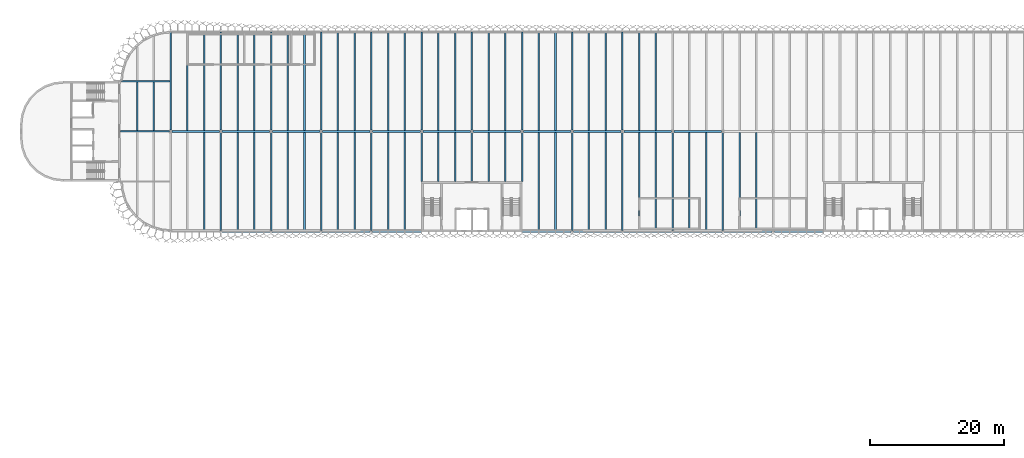
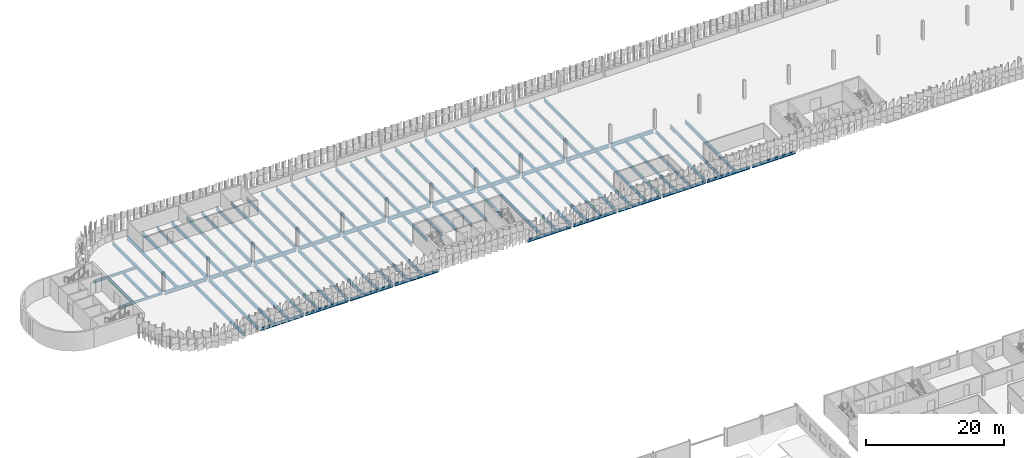
# One storey, part 31 of 198: 89 beams.
"""IFC4 building model written with IfcOpenShell, lengths in metres."""

import ifcopenshell
import ifcopenshell.guid

model = None  # the IFC model being written
_history = None  # IfcOwnerHistory: only IFC2X3 demands one
_inside = {}  # id of a spatial element -> (the spatial element, [elements in it])
_under = {}  # id of a project, library or spatial element -> (it, [spatial elements below it])
_declared = {}  # id of a project -> (the project, [libraries it declares])
_typed = {}  # id of a type object -> (the type object, [elements of that type])
_made_of = {}  # id of a material, layer set ... -> (it, [elements and type objects made of it])


def new_model(schema):
    """Start an empty IFC model of exactly this schema.

    Asked for "IFC4X3", IfcOpenShell would pick the latest addendum, in which some entities
    have other attributes; the version numbers below select the first issue.
    IFC2X3 requires an IfcOwnerHistory on every rooted entity: one is made here for all.
    """
    global model, _history
    if schema == "IFC4X3":
        model = ifcopenshell.file(schema_version=(4, 3, 0, 0))
    else:
        model = ifcopenshell.file(schema=schema)
    _inside.clear()
    _under.clear()
    _declared.clear()
    _typed.clear()
    _made_of.clear()
    _history = None
    if model.schema == "IFC2X3":
        org = make("IfcOrganization", Name="unknown")
        user = make(
            "IfcPersonAndOrganization",
            ThePerson=make("IfcPerson", FamilyName="unknown"),
            TheOrganization=org,
        )
        app = make(
            "IfcApplication",
            ApplicationDeveloper=org,
            Version="unknown",
            ApplicationFullName="unknown",
            ApplicationIdentifier="unknown",
        )
        _history = make(
            "IfcOwnerHistory",
            OwningUser=user,
            OwningApplication=app,
            ChangeAction="ADDED",
            CreationDate=0,
        )
    return model


def make(cls, **values):
    """One entity of the class cls with the attributes given. An attribute that is None is left unset."""
    return model.create_entity(
        cls, **{name: value for name, value in values.items() if value is not None}
    )


def rooted(cls, **values):
    """An entity with a GlobalId (a new one), such as an element, a storey or a relation."""
    return make(cls, GlobalId=ifcopenshell.guid.new(), OwnerHistory=_history, **values)


def si_unit(unit_type, name, prefix=None):
    """IfcSIUnit, for example si_unit("LENGTHUNIT", "METRE", prefix="MILLI")."""
    return make("IfcSIUnit", UnitType=unit_type, Prefix=prefix, Name=name)


def assignment(units):
    """IfcUnitAssignment: the units of a project."""
    return None if units is None else make("IfcUnitAssignment", Units=units)


def point(xyz):
    """IfcCartesianPoint."""
    return None if xyz is None else make("IfcCartesianPoint", Coordinates=xyz)


def direction(xyz):
    """IfcDirection."""
    return None if xyz is None else make("IfcDirection", DirectionRatios=xyz)


def frame(location, z_axis=None, x_axis=None):
    """IfcAxis2Placement3D, a coordinate frame: its origin and axes. An axis left out is left unset."""
    return make(
        "IfcAxis2Placement3D",
        Location=point(location),
        Axis=direction(z_axis),
        RefDirection=direction(x_axis),
    )


def frame_2d(location, x_axis=None):
    """IfcAxis2Placement2D, a coordinate frame in the plane: its origin and x axis."""
    return make(
        "IfcAxis2Placement2D", Location=point(location), RefDirection=direction(x_axis)
    )


def origin():
    """The frame at (0, 0, 0) with its axes left unset."""
    return frame((0.0, 0.0, 0.0))


def origin_2d():
    """The frame at (0, 0) in the plane with its x axis left unset."""
    return frame_2d((0.0, 0.0))


def place(relative_to, where):
    """IfcLocalPlacement: puts the frame where relative to a parent placement (None: the world)."""
    return make(
        "IfcLocalPlacement", PlacementRelTo=relative_to, RelativePlacement=where
    )


def context(
    kind, dimensions, precision=None, world=None, true_north=None, identifier=None
):
    """IfcGeometricRepresentationContext, for example the 3D "Model" context."""
    return make(
        "IfcGeometricRepresentationContext",
        ContextIdentifier=identifier,
        ContextType=kind,
        CoordinateSpaceDimension=dimensions,
        Precision=precision,
        WorldCoordinateSystem=world,
        TrueNorth=true_north,
    )


def subcontext(parent, identifier, kind, view, scale=None):
    """IfcGeometricRepresentationSubContext, for example "Body" below "Model"."""
    return make(
        "IfcGeometricRepresentationSubContext",
        ContextIdentifier=identifier,
        ContextType=kind,
        ParentContext=parent,
        TargetScale=scale,
        TargetView=view,
    )


def project(units=None, contexts=None):
    """IfcProject with its units and contexts."""
    return rooted(
        "IfcProject",
        Name="project",
        RepresentationContexts=contexts,
        UnitsInContext=assignment(units),
    )


def spatial(cls, under=None, at=None, **own):
    """A site, building, storey or space (cls), placed at a placement, below another one or the project."""
    s = rooted(cls, ObjectPlacement=at, **own)
    if under is not None:
        _under.setdefault(under.id(), (under, []))[1].append(s)
    return s


def profile(cls, at=None, kind="AREA", **sizes):
    """A parametric profile (cls). Its sizes go by their IFC names, for example OverallWidth=200.0."""
    return make(cls, ProfileType=kind, Position=at, **sizes)


def i_section(**sizes):
    """IfcIShapeProfileDef."""
    return profile("IfcIShapeProfileDef", **sizes)


def extrude(swept, where, along, depth):
    """IfcExtrudedAreaSolid: the profile swept, set in the frame where, extruded along a direction by depth."""
    return make(
        "IfcExtrudedAreaSolid",
        SweptArea=swept,
        Position=where,
        ExtrudedDirection=direction(along),
        Depth=depth,
    )


def shape(context_of_items, identifier, shape_type, items):
    """IfcShapeRepresentation: the items that make up one representation, for example the "Body"."""
    return make(
        "IfcShapeRepresentation",
        ContextOfItems=context_of_items,
        RepresentationIdentifier=identifier,
        RepresentationType=shape_type,
        Items=items,
    )


def material(Name=None, Category=None):
    """IfcMaterial."""
    return make("IfcMaterial", Name=Name, Category=Category)


def material_profile(
    of_material, cross_section, Name=None, Category=None, Priority=None
):
    """IfcMaterialProfile: a cross section and its material."""
    return make(
        "IfcMaterialProfile",
        Name=Name,
        Material=of_material,
        Profile=cross_section,
        Priority=Priority,
        Category=Category,
    )


def profile_set(profiles, Name=None, composite=None):
    """IfcMaterialProfileSet."""
    return make(
        "IfcMaterialProfileSet",
        Name=Name,
        MaterialProfiles=profiles,
        CompositeProfile=composite,
    )


def made_of(thing, what):
    """Note that an element or type object is made of a material, layer set ...; save() writes the relation."""
    if what is not None:
        _made_of.setdefault(what.id(), (what, []))[1].append(thing)
    return thing


def type_object(cls, material=None, **own):
    """A type object (cls), such as IfcWallType, which elements share."""
    return made_of(rooted(cls, **own), material)


def element(
    cls,
    number,
    at=None,
    inside=None,
    cuts=None,
    type_object=None,
    material=None,
    context=None,
    identifier="Body",
    shape_type=None,
    held_by="IfcProductDefinitionShape",
    body=None,
    shapes=None,
    **own,
):
    """One element of the class cls, such as IfcWall. Its Tag is "e" and its number.

    at: its placement. inside: the storey or other place that contains it. cuts: it is an
    opening in that element (IfcRelVoidsElement). A single representation is given by context,
    identifier, shape_type and body (its items); several are given by shapes. held_by: the class
    of the entity that holds the representations. save() writes the other relations.
    """
    e = rooted(cls, Tag="e%d" % number, ObjectPlacement=at, **own)
    if body is not None:
        shapes = [shape(context, identifier, shape_type, body)]
    if shapes is not None:
        e.Representation = make(held_by, Representations=shapes)
    if inside is not None:
        _inside.setdefault(inside.id(), (inside, []))[1].append(e)
    if cuts is not None:
        rooted(
            "IfcRelVoidsElement", RelatingBuildingElement=cuts, RelatedOpeningElement=e
        )
    if type_object is not None:
        _typed.setdefault(type_object.id(), (type_object, []))[1].append(e)
    return made_of(e, material)


def aggregate(whole, parts):
    """IfcRelAggregates: a whole, such as a stair, and the parts it consists of."""
    return rooted("IfcRelAggregates", RelatingObject=whole, RelatedObjects=parts)


def save(model, path):
    """Write the relations noted so far, then the file.

    IfcRelAggregates (storeys below a building ...), IfcRelContainedInSpatialStructure (elements
    in a storey), IfcRelDefinesByType, IfcRelAssociatesMaterial and IfcRelDeclares: one each for
    every whole, place, type object, material and project.
    """
    for whole, parts in _under.values():
        aggregate(whole, parts)
    for where, things in _inside.values():
        rooted(
            "IfcRelContainedInSpatialStructure",
            RelatedElements=things,
            RelatingStructure=where,
        )
    for kind, things in _typed.values():
        rooted("IfcRelDefinesByType", RelatedObjects=things, RelatingType=kind)
    for what, things in _made_of.values():
        rooted("IfcRelAssociatesMaterial", RelatedObjects=things, RelatingMaterial=what)
    for by, libraries in _declared.values():
        rooted("IfcRelDeclares", RelatingContext=by, RelatedDefinitions=libraries)
    model.write(path)


model = new_model("IFC4")

# Units and contexts
model_context = context("Model", 3, precision=1e-05, world=origin(), true_north=direction((0.0, 1.0)))
body_context = subcontext(model_context, "Body", "Model", "MODEL_VIEW")
ifc_project = project(units=[si_unit("LENGTHUNIT", "METRE"), si_unit("AREAUNIT", "SQUARE_METRE"), si_unit("VOLUMEUNIT", "CUBIC_METRE"), si_unit("PLANEANGLEUNIT", "RADIAN"), si_unit("MASSUNIT", "GRAM", prefix="KILO")], contexts=[model_context])

# Site, building, storey
site_placement = place(None, origin())
site = spatial("IfcSite", under=ifc_project, at=site_placement, CompositionType="ELEMENT")
building_placement = place(site_placement, origin())
building = spatial("IfcBuilding", under=site, at=building_placement, Name="Parallax Yard Mobility Hub", CompositionType="ELEMENT")
storey_placement = place(building_placement, frame((0.0, 0.0, 6.60009765625)))
storey = spatial("IfcBuildingStorey", under=building, at=storey_placement, Name="L02", CompositionType="ELEMENT", Elevation=6.60009765625)

# Beams
ifc_material = material(Name="Steel ASTM A992", Category="steel")
ifc_material_profile_1 = material_profile(ifc_material, i_section(OverallWidth=0.19091796875, OverallDepth=0.45703125, WebThickness=0.009033203125, FlangeThickness=0.014404296875, FilletRadius=0.01025390625, at=origin_2d()), Name="W460x74")
ifc_profile_set_1 = profile_set([ifc_material_profile_1], Name="Steel ASTM A992")
beam_type_1 = type_object("IfcBeamType", Name="W460x74 longitudinal beam", PredefinedType="BEAM", material=ifc_profile_set_1)
beam_1_placement = place(storey_placement, frame((22.5, 127.5, -0.36865234375), z_axis=(1.0, 0.0, 0.0), x_axis=(0.0, 1.0, 0.0)))
element("IfcBeam", 1, at=beam_1_placement, inside=storey, type_object=beam_type_1, Name="Longitudinal beam SB4 level L02, line T of ramped parking decks, span 20", PredefinedType="BEAM", context=body_context, shape_type="SweptSolid", body=[
    extrude(i_section(OverallWidth=0.19091796875, OverallDepth=0.45703125, WebThickness=0.009033203125, FlangeThickness=0.014404296875, FilletRadius=0.01025390625, at=origin_2d()), origin(), (0.0, 0.0, 1.0), 7.302001953125),
])
beam_2_placement = place(storey_placement, frame((22.608154296875, 135.0, -0.36865234375), z_axis=(1.0, 0.0, 0.0), x_axis=(0.0, 1.0, 0.0)))
element("IfcBeam", 2, at=beam_2_placement, inside=storey, type_object=beam_type_1, Name="Longitudinal beam SB4 level L02, line U of ramped parking decks, span 1", PredefinedType="BEAM", context=body_context, shape_type="SweptSolid", body=[
    extrude(i_section(OverallWidth=0.19091796875, OverallDepth=0.45703125, WebThickness=0.009033203125, FlangeThickness=0.014404296875, FilletRadius=0.01025390625, at=origin_2d()), origin(), (0.0, 0.0, 1.0), 7.27734375),
])
ifc_material_profile_2 = material_profile(ifc_material, i_section(OverallWidth=0.208984375, OverallDepth=0.532958984375, WebThickness=0.01025390625, FlangeThickness=0.015625, FilletRadius=0.0126953125, at=origin_2d()), Name="W530x92")
ifc_profile_set_2 = profile_set([ifc_material_profile_2], Name="Steel ASTM A992")
beam_type_2 = type_object("IfcBeamType", Name="W530x92 edge beam", PredefinedType="SPANDREL", material=ifc_profile_set_2)
for number, where, z_axis, x_axis, name in (
    (3, (37.652587890625, 112.5, -0.406494140625), (1.0, 0.0, 0.0), (0.0, 1.0, 0.0), "Edge beam SB5 level L02, line R of ramped parking decks, span 2"),
    (4, (45.152587890625, 112.5, -0.406494140625), (1.0, 0.0, 0.0), (0.0, 1.0, 0.0), "Edge beam SB5 level L02, line R of ramped parking decks, span 3"),
):
    element("IfcBeam", number, at=place(storey_placement, frame(where, z_axis=z_axis, x_axis=x_axis)), inside=storey, type_object=beam_type_2, Name=name, PredefinedType="SPANDREL", context=body_context, shape_type="SweptSolid", body=[
        extrude(i_section(OverallWidth=0.208984375, OverallDepth=0.532958984375, WebThickness=0.01025390625, FlangeThickness=0.015625, FilletRadius=0.0126953125, at=origin_2d()), origin(), (0.0, 0.0, 1.0), 7.19482421875),
    ])
beam_3_placement = place(storey_placement, frame((52.652587890625, 112.5, -0.406494140625), z_axis=(1.0, 0.0, 0.0), x_axis=(0.0, 1.0, 0.0)))
element("IfcBeam", 5, at=beam_3_placement, inside=storey, type_object=beam_type_2, Name="Edge beam SB5 level L02, line R of ramped parking decks, span 4", PredefinedType="SPANDREL", context=body_context, shape_type="SweptSolid", body=[
    extrude(i_section(OverallWidth=0.208984375, OverallDepth=0.532958984375, WebThickness=0.01025390625, FlangeThickness=0.015625, FilletRadius=0.0126953125, at=origin_2d()), origin(), (0.0, 0.0, 1.0), 7.160888671875),
])
for number, where, z_axis, x_axis, name in (
    (6, (60.1865234375, 112.5, -0.406494140625), (1.0, 0.0, 0.0), (0.0, 1.0, 0.0), "Edge beam SB5 level L02, line R of ramped parking decks, span 5"),
    (7, (82.5, 112.5, -0.406494140625), (1.0, 0.0, 0.0), (0.0, 1.0, 0.0), "Edge beam SB5 level L02, line R of ramped parking decks, span 6"),
):
    element("IfcBeam", number, at=place(storey_placement, frame(where, z_axis=z_axis, x_axis=x_axis)), inside=storey, type_object=beam_type_2, Name=name, PredefinedType="SPANDREL", context=body_context, shape_type="SweptSolid", body=[
        extrude(i_section(OverallWidth=0.208984375, OverallDepth=0.532958984375, WebThickness=0.01025390625, FlangeThickness=0.015625, FilletRadius=0.0126953125, at=origin_2d()), origin(), (0.0, 0.0, 1.0), 7.3134765625),
    ])
beam_4_placement = place(storey_placement, frame((90.1865234375, 112.5, -0.406494140625), z_axis=(1.0, 0.0, 0.0), x_axis=(0.0, 1.0, 0.0)))
element("IfcBeam", 8, at=beam_4_placement, inside=storey, type_object=beam_type_2, Name="Edge beam SB5 level L02, line R of ramped parking decks, span 7", PredefinedType="SPANDREL", context=body_context, shape_type="SweptSolid", body=[
    extrude(i_section(OverallWidth=0.208984375, OverallDepth=0.532958984375, WebThickness=0.01025390625, FlangeThickness=0.015625, FilletRadius=0.0126953125, at=origin_2d()), origin(), (0.0, 0.0, 1.0), 7.160888671875),
])
for number, where, z_axis, x_axis, name in (
    (9, (97.652587890625, 112.5, -0.406494140625), (1.0, 0.0, 0.0), (0.0, 1.0, 0.0), "Edge beam SB5 level L02, line R of ramped parking decks, span 8"),
    (10, (105.152587890625, 112.5, -0.406494140625), (1.0, 0.0, 0.0), (0.0, 1.0, 0.0), "Edge beam SB5 level L02, line R of ramped parking decks, span 9"),
):
    element("IfcBeam", number, at=place(storey_placement, frame(where, z_axis=z_axis, x_axis=x_axis)), inside=storey, type_object=beam_type_2, Name=name, PredefinedType="SPANDREL", context=body_context, shape_type="SweptSolid", body=[
        extrude(i_section(OverallWidth=0.208984375, OverallDepth=0.532958984375, WebThickness=0.01025390625, FlangeThickness=0.015625, FilletRadius=0.0126953125, at=origin_2d()), origin(), (0.0, 0.0, 1.0), 7.19482421875),
    ])
beam_5_placement = place(storey_placement, frame((112.652587890625, 112.5, -0.406494140625), z_axis=(1.0, 0.0, 0.0), x_axis=(0.0, 1.0, 0.0)))
element("IfcBeam", 11, at=beam_5_placement, inside=storey, type_object=beam_type_2, Name="Edge beam SB5 level L02, line R of ramped parking decks, span 10", PredefinedType="SPANDREL", context=body_context, shape_type="SweptSolid", body=[
    extrude(i_section(OverallWidth=0.208984375, OverallDepth=0.532958984375, WebThickness=0.01025390625, FlangeThickness=0.015625, FilletRadius=0.0126953125, at=origin_2d()), origin(), (0.0, 0.0, 1.0), 7.160888671875),
])
beam_6_placement = place(storey_placement, frame((120.1865234375, 112.5, -0.406494140625), z_axis=(1.0, 0.0, 0.0), x_axis=(0.0, 1.0, 0.0)))
element("IfcBeam", 12, at=beam_6_placement, inside=storey, type_object=beam_type_2, Name="Edge beam SB5 level L02, line R of ramped parking decks, span 11", PredefinedType="SPANDREL", context=body_context, shape_type="SweptSolid", body=[
    extrude(i_section(OverallWidth=0.208984375, OverallDepth=0.532958984375, WebThickness=0.01025390625, FlangeThickness=0.015625, FilletRadius=0.0126953125, at=origin_2d()), origin(), (0.0, 0.0, 1.0), 7.3134765625),
])
ifc_material_profile_3 = material_profile(ifc_material, i_section(OverallWidth=0.22802734375, OverallDepth=0.60205078125, WebThickness=0.010498046875, FlangeThickness=0.014892578125, FilletRadius=0.0126953125, at=origin_2d()), Name="W610x101")
ifc_profile_set_3 = profile_set([ifc_material_profile_3], Name="Steel ASTM A992")
beam_type_3 = type_object("IfcBeamType", Name="W610x101 secondary beam", PredefinedType="JOIST", material=ifc_profile_set_3)
beam_7_placement = place(storey_placement, frame((70.0, 120.0, -0.441162109375), z_axis=(0.0, 1.0, 0.0), x_axis=(-1.0, 0.0, 0.0)))
element("IfcBeam", 13, at=beam_7_placement, inside=storey, type_object=beam_type_3, Name="Secondary beam B3 level L02, 2.5 m east of line 10 of ramped parking decks, span 1", PredefinedType="JOIST", context=body_context, shape_type="SweptSolid", body=[
    extrude(i_section(OverallWidth=0.22802734375, OverallDepth=0.60205078125, WebThickness=0.010498046875, FlangeThickness=0.014892578125, FilletRadius=0.0126953125, at=origin_2d()), origin(), (0.0, 0.0, 1.0), 7.33740234375),
])
beam_8_placement = place(storey_placement, frame((70.0, 127.66259765625, -0.441162109375), z_axis=(0.0, 1.0, 0.0), x_axis=(-1.0, 0.0, 0.0)))
element("IfcBeam", 14, at=beam_8_placement, inside=storey, type_object=beam_type_3, Name="Secondary beam B3 level L02, 2.5 m east of line 10 of ramped parking decks, span 2", PredefinedType="JOIST", context=body_context, shape_type="SweptSolid", body=[
    extrude(i_section(OverallWidth=0.22802734375, OverallDepth=0.60205078125, WebThickness=0.010498046875, FlangeThickness=0.014892578125, FilletRadius=0.0126953125, at=origin_2d()), origin(), (0.0, 0.0, 1.0), 14.73291015625),
])
beam_9_placement = place(storey_placement, frame((77.5, 120.0, -0.441162109375), z_axis=(0.0, 1.0, 0.0), x_axis=(-1.0, 0.0, 0.0)))
element("IfcBeam", 15, at=beam_9_placement, inside=storey, type_object=beam_type_3, Name="Secondary beam B3 level L02, 2.5 m east of line 11 of ramped parking decks, span 1", PredefinedType="JOIST", context=body_context, shape_type="SweptSolid", body=[
    extrude(i_section(OverallWidth=0.22802734375, OverallDepth=0.60205078125, WebThickness=0.010498046875, FlangeThickness=0.014892578125, FilletRadius=0.0126953125, at=origin_2d()), origin(), (0.0, 0.0, 1.0), 7.33740234375),
])
for number, where, z_axis, x_axis, name in (
    (16, (77.5, 127.66259765625, -0.441162109375), (0.0, 1.0, 0.0), (-1.0, 0.0, 0.0), "Secondary beam B3 level L02, 2.5 m east of line 11 of ramped parking decks, span 2"),
    (17, (85.0, 112.6044921875, -0.441162109375), (0.0, 1.0, 0.0), (-1.0, 0.0, 0.0), "Secondary beam B3 level L02, 2.5 m east of line 12 of ramped parking decks, span 1"),
    (18, (85.0, 127.66259765625, -0.441162109375), (0.0, 1.0, 0.0), (-1.0, 0.0, 0.0), "Secondary beam B3 level L02, 2.5 m east of line 12 of ramped parking decks, span 2"),
    (19, (92.5, 112.6044921875, -0.441162109375), (0.0, 1.0, 0.0), (-1.0, 0.0, 0.0), "Secondary beam B3 level L02, 2.5 m east of line 13 of ramped parking decks, span 1"),
    (20, (92.5, 127.66259765625, -0.441162109375), (0.0, 1.0, 0.0), (-1.0, 0.0, 0.0), "Secondary beam B3 level L02, 2.5 m east of line 13 of ramped parking decks, span 2"),
    (21, (100.0, 112.6044921875, -0.441162109375), (0.0, 1.0, 0.0), (-1.0, 0.0, 0.0), "Secondary beam B3 level L02, 2.5 m east of line 14 of ramped parking decks, span 1"),
    (22, (100.0, 127.66259765625, -0.441162109375), (0.0, 1.0, 0.0), (-1.0, 0.0, 0.0), "Secondary beam B3 level L02, 2.5 m east of line 14 of ramped parking decks, span 2"),
    (23, (107.5, 112.6044921875, -0.441162109375), (0.0, 1.0, 0.0), (-1.0, 0.0, 0.0), "Secondary beam B3 level L02, 2.5 m east of line 15 of ramped parking decks, span 1"),
    (24, (115.0, 112.6044921875, -0.441162109375), (0.0, 1.0, 0.0), (-1.0, 0.0, 0.0), "Secondary beam B3 level L02, 2.5 m east of line 16 of ramped parking decks, span 1"),
):
    element("IfcBeam", number, at=place(storey_placement, frame(where, z_axis=z_axis, x_axis=x_axis)), inside=storey, type_object=beam_type_3, Name=name, PredefinedType="JOIST", context=body_context, shape_type="SweptSolid", body=[
        extrude(i_section(OverallWidth=0.22802734375, OverallDepth=0.60205078125, WebThickness=0.010498046875, FlangeThickness=0.014892578125, FilletRadius=0.0126953125, at=origin_2d()), origin(), (0.0, 0.0, 1.0), 14.73291015625),
    ])
beam_10_placement = place(storey_placement, frame((25.0, 127.595458984375, -0.441162109375), z_axis=(0.0, 1.0, 0.0), x_axis=(-1.0, 0.0, 0.0)))
element("IfcBeam", 25, at=beam_10_placement, inside=storey, type_object=beam_type_3, Name="Secondary beam B3 level L02, 2.5 m east of line 4 of ramped parking decks, span 3", PredefinedType="JOIST", context=body_context, shape_type="SweptSolid", body=[
    extrude(i_section(OverallWidth=0.22802734375, OverallDepth=0.60205078125, WebThickness=0.010498046875, FlangeThickness=0.014892578125, FilletRadius=0.0126953125, at=origin_2d()), origin(), (0.0, 0.0, 1.0), 7.30908203125),
])
for number, where, z_axis, x_axis, name in (
    (26, (32.5, 127.66259765625, -0.441162109375), (0.0, 1.0, 0.0), (-1.0, 0.0, 0.0), "Secondary beam B3 level L02, 2.5 m east of line 5 of ramped parking decks, span 2"),
    (27, (40.0, 112.6044921875, -0.441162109375), (0.0, 1.0, 0.0), (-1.0, 0.0, 0.0), "Secondary beam B3 level L02, 2.5 m east of line 6 of ramped parking decks, span 1"),
    (28, (40.0, 127.66259765625, -0.441162109375), (0.0, 1.0, 0.0), (-1.0, 0.0, 0.0), "Secondary beam B3 level L02, 2.5 m east of line 6 of ramped parking decks, span 2"),
    (29, (47.5, 112.6044921875, -0.441162109375), (0.0, 1.0, 0.0), (-1.0, 0.0, 0.0), "Secondary beam B3 level L02, 2.5 m east of line 7 of ramped parking decks, span 1"),
    (30, (47.5, 127.66259765625, -0.441162109375), (0.0, 1.0, 0.0), (-1.0, 0.0, 0.0), "Secondary beam B3 level L02, 2.5 m east of line 7 of ramped parking decks, span 2"),
    (31, (55.0, 112.6044921875, -0.441162109375), (0.0, 1.0, 0.0), (-1.0, 0.0, 0.0), "Secondary beam B3 level L02, 2.5 m east of line 8 of ramped parking decks, span 1"),
    (32, (55.0, 127.66259765625, -0.441162109375), (0.0, 1.0, 0.0), (-1.0, 0.0, 0.0), "Secondary beam B3 level L02, 2.5 m east of line 8 of ramped parking decks, span 2"),
    (33, (62.5, 112.6044921875, -0.441162109375), (0.0, 1.0, 0.0), (-1.0, 0.0, 0.0), "Secondary beam B3 level L02, 2.5 m east of line 9 of ramped parking decks, span 1"),
    (34, (62.5, 127.66259765625, -0.441162109375), (0.0, 1.0, 0.0), (-1.0, 0.0, 0.0), "Secondary beam B3 level L02, 2.5 m east of line 9 of ramped parking decks, span 2"),
):
    element("IfcBeam", number, at=place(storey_placement, frame(where, z_axis=z_axis, x_axis=x_axis)), inside=storey, type_object=beam_type_3, Name=name, PredefinedType="JOIST", context=body_context, shape_type="SweptSolid", body=[
        extrude(i_section(OverallWidth=0.22802734375, OverallDepth=0.60205078125, WebThickness=0.010498046875, FlangeThickness=0.014892578125, FilletRadius=0.0126953125, at=origin_2d()), origin(), (0.0, 0.0, 1.0), 14.73291015625),
    ])
beam_11_placement = place(storey_placement, frame((72.5, 120.0, -0.441162109375), z_axis=(0.0, 1.0, 0.0), x_axis=(-1.0, 0.0, 0.0)))
element("IfcBeam", 35, at=beam_11_placement, inside=storey, type_object=beam_type_3, Name="Secondary beam B3 level L02, 5 m east of line 10 of ramped parking decks, span 1", PredefinedType="JOIST", context=body_context, shape_type="SweptSolid", body=[
    extrude(i_section(OverallWidth=0.22802734375, OverallDepth=0.60205078125, WebThickness=0.010498046875, FlangeThickness=0.014892578125, FilletRadius=0.0126953125, at=origin_2d()), origin(), (0.0, 0.0, 1.0), 7.33740234375),
])
beam_12_placement = place(storey_placement, frame((72.5, 127.66259765625, -0.441162109375), z_axis=(0.0, 1.0, 0.0), x_axis=(-1.0, 0.0, 0.0)))
element("IfcBeam", 36, at=beam_12_placement, inside=storey, type_object=beam_type_3, Name="Secondary beam B3 level L02, 5 m east of line 10 of ramped parking decks, span 2", PredefinedType="JOIST", context=body_context, shape_type="SweptSolid", body=[
    extrude(i_section(OverallWidth=0.22802734375, OverallDepth=0.60205078125, WebThickness=0.010498046875, FlangeThickness=0.014892578125, FilletRadius=0.0126953125, at=origin_2d()), origin(), (0.0, 0.0, 1.0), 14.73291015625),
])
beam_13_placement = place(storey_placement, frame((80.0, 120.0, -0.441162109375), z_axis=(0.0, 1.0, 0.0), x_axis=(-1.0, 0.0, 0.0)))
element("IfcBeam", 37, at=beam_13_placement, inside=storey, type_object=beam_type_3, Name="Secondary beam B3 level L02, 5 m east of line 11 of ramped parking decks, span 1", PredefinedType="JOIST", context=body_context, shape_type="SweptSolid", body=[
    extrude(i_section(OverallWidth=0.22802734375, OverallDepth=0.60205078125, WebThickness=0.010498046875, FlangeThickness=0.014892578125, FilletRadius=0.0126953125, at=origin_2d()), origin(), (0.0, 0.0, 1.0), 7.33740234375),
])
for number, where, z_axis, x_axis, name in (
    (38, (80.0, 127.66259765625, -0.441162109375), (0.0, 1.0, 0.0), (-1.0, 0.0, 0.0), "Secondary beam B3 level L02, 5 m east of line 11 of ramped parking decks, span 2"),
    (39, (87.5, 112.6044921875, -0.441162109375), (0.0, 1.0, 0.0), (-1.0, 0.0, 0.0), "Secondary beam B3 level L02, 5 m east of line 12 of ramped parking decks, span 1"),
    (40, (87.5, 127.66259765625, -0.441162109375), (0.0, 1.0, 0.0), (-1.0, 0.0, 0.0), "Secondary beam B3 level L02, 5 m east of line 12 of ramped parking decks, span 2"),
    (41, (95.0, 112.6044921875, -0.441162109375), (0.0, 1.0, 0.0), (-1.0, 0.0, 0.0), "Secondary beam B3 level L02, 5 m east of line 13 of ramped parking decks, span 1"),
    (42, (95.0, 127.66259765625, -0.441162109375), (0.0, 1.0, 0.0), (-1.0, 0.0, 0.0), "Secondary beam B3 level L02, 5 m east of line 13 of ramped parking decks, span 2"),
    (43, (102.5, 112.6044921875, -0.441162109375), (0.0, 1.0, 0.0), (-1.0, 0.0, 0.0), "Secondary beam B3 level L02, 5 m east of line 14 of ramped parking decks, span 1"),
    (44, (102.5, 127.66259765625, -0.441162109375), (0.0, 1.0, 0.0), (-1.0, 0.0, 0.0), "Secondary beam B3 level L02, 5 m east of line 14 of ramped parking decks, span 2"),
    (45, (110.0, 112.6044921875, -0.441162109375), (0.0, 1.0, 0.0), (-1.0, 0.0, 0.0), "Secondary beam B3 level L02, 5 m east of line 15 of ramped parking decks, span 1"),
    (46, (117.5, 112.6044921875, -0.441162109375), (0.0, 1.0, 0.0), (-1.0, 0.0, 0.0), "Secondary beam B3 level L02, 5 m east of line 16 of ramped parking decks, span 1"),
):
    element("IfcBeam", number, at=place(storey_placement, frame(where, z_axis=z_axis, x_axis=x_axis)), inside=storey, type_object=beam_type_3, Name=name, PredefinedType="JOIST", context=body_context, shape_type="SweptSolid", body=[
        extrude(i_section(OverallWidth=0.22802734375, OverallDepth=0.60205078125, WebThickness=0.010498046875, FlangeThickness=0.014892578125, FilletRadius=0.0126953125, at=origin_2d()), origin(), (0.0, 0.0, 1.0), 14.73291015625),
    ])
beam_14_placement = place(storey_placement, frame((27.5, 127.595458984375, -0.441162109375), z_axis=(0.0, 1.0, 0.0), x_axis=(-1.0, 0.0, 0.0)))
element("IfcBeam", 47, at=beam_14_placement, inside=storey, type_object=beam_type_3, Name="Secondary beam B3 level L02, 5 m east of line 4 of ramped parking decks, span 3", PredefinedType="JOIST", context=body_context, shape_type="SweptSolid", body=[
    extrude(i_section(OverallWidth=0.22802734375, OverallDepth=0.60205078125, WebThickness=0.010498046875, FlangeThickness=0.014892578125, FilletRadius=0.0126953125, at=origin_2d()), origin(), (0.0, 0.0, 1.0), 7.30908203125),
])
for number, where, z_axis, x_axis, name in (
    (48, (35.0, 112.6044921875, -0.441162109375), (0.0, 1.0, 0.0), (-1.0, 0.0, 0.0), "Secondary beam B3 level L02, 5 m east of line 5 of ramped parking decks, span 1"),
    (49, (35.0, 127.66259765625, -0.441162109375), (0.0, 1.0, 0.0), (-1.0, 0.0, 0.0), "Secondary beam B3 level L02, 5 m east of line 5 of ramped parking decks, span 2"),
    (50, (42.5, 112.6044921875, -0.441162109375), (0.0, 1.0, 0.0), (-1.0, 0.0, 0.0), "Secondary beam B3 level L02, 5 m east of line 6 of ramped parking decks, span 1"),
    (51, (42.5, 127.66259765625, -0.441162109375), (0.0, 1.0, 0.0), (-1.0, 0.0, 0.0), "Secondary beam B3 level L02, 5 m east of line 6 of ramped parking decks, span 2"),
    (52, (50.0, 112.6044921875, -0.441162109375), (0.0, 1.0, 0.0), (-1.0, 0.0, 0.0), "Secondary beam B3 level L02, 5 m east of line 7 of ramped parking decks, span 1"),
    (53, (50.0, 127.66259765625, -0.441162109375), (0.0, 1.0, 0.0), (-1.0, 0.0, 0.0), "Secondary beam B3 level L02, 5 m east of line 7 of ramped parking decks, span 2"),
    (54, (57.5, 112.6044921875, -0.441162109375), (0.0, 1.0, 0.0), (-1.0, 0.0, 0.0), "Secondary beam B3 level L02, 5 m east of line 8 of ramped parking decks, span 1"),
    (55, (57.5, 127.66259765625, -0.441162109375), (0.0, 1.0, 0.0), (-1.0, 0.0, 0.0), "Secondary beam B3 level L02, 5 m east of line 8 of ramped parking decks, span 2"),
    (56, (65.0, 112.6044921875, -0.441162109375), (0.0, 1.0, 0.0), (-1.0, 0.0, 0.0), "Secondary beam B3 level L02, 5 m east of line 9 of ramped parking decks, span 1"),
    (57, (65.0, 127.66259765625, -0.441162109375), (0.0, 1.0, 0.0), (-1.0, 0.0, 0.0), "Secondary beam B3 level L02, 5 m east of line 9 of ramped parking decks, span 2"),
):
    element("IfcBeam", number, at=place(storey_placement, frame(where, z_axis=z_axis, x_axis=x_axis)), inside=storey, type_object=beam_type_3, Name=name, PredefinedType="JOIST", context=body_context, shape_type="SweptSolid", body=[
        extrude(i_section(OverallWidth=0.22802734375, OverallDepth=0.60205078125, WebThickness=0.010498046875, FlangeThickness=0.014892578125, FilletRadius=0.0126953125, at=origin_2d()), origin(), (0.0, 0.0, 1.0), 14.73291015625),
    ])
ifc_material_profile_4 = material_profile(ifc_material, i_section(OverallWidth=0.22900390625, OverallDepth=0.612060546875, WebThickness=0.011962890625, FlangeThickness=0.01953125, FilletRadius=0.0126953125, at=origin_2d()), Name="W610x125")
ifc_profile_set_4 = profile_set([ifc_material_profile_4], Name="Steel ASTM A992")
beam_type_4 = type_object("IfcBeamType", Name="W610x125 girder", PredefinedType="BEAM", material=ifc_profile_set_4)
beam_15_placement = place(storey_placement, frame((67.5, 120.0, -0.446044921875), z_axis=(0.0, 1.0, 0.0), x_axis=(-1.0, 0.0, 0.0)))
element("IfcBeam", 58, at=beam_15_placement, inside=storey, type_object=beam_type_4, Name="Girder G3 level L02, line 10 of ramped parking decks, span 1", PredefinedType="BEAM", context=body_context, shape_type="SweptSolid", body=[
    extrude(i_section(OverallWidth=0.22900390625, OverallDepth=0.612060546875, WebThickness=0.011962890625, FlangeThickness=0.01953125, FilletRadius=0.0126953125, at=origin_2d()), origin(), (0.0, 0.0, 1.0), 7.3095703125),
])
beam_16_placement = place(storey_placement, frame((67.5, 127.6904296875, -0.446044921875), z_axis=(0.0, 1.0, 0.0), x_axis=(-1.0, 0.0, 0.0)))
element("IfcBeam", 59, at=beam_16_placement, inside=storey, type_object=beam_type_4, Name="Girder G3 level L02, line 10 of ramped parking decks, span 2", PredefinedType="BEAM", context=body_context, shape_type="SweptSolid", body=[
    extrude(i_section(OverallWidth=0.22900390625, OverallDepth=0.612060546875, WebThickness=0.011962890625, FlangeThickness=0.01953125, FilletRadius=0.0126953125, at=origin_2d()), origin(), (0.0, 0.0, 1.0), 14.653564453125),
])
beam_17_placement = place(storey_placement, frame((75.0, 120.0, -0.446044921875), z_axis=(0.0, 1.0, 0.0), x_axis=(-1.0, 0.0, 0.0)))
element("IfcBeam", 60, at=beam_17_placement, inside=storey, type_object=beam_type_4, Name="Girder G3 level L02, line 11 of ramped parking decks, span 1", PredefinedType="BEAM", context=body_context, shape_type="SweptSolid", body=[
    extrude(i_section(OverallWidth=0.22900390625, OverallDepth=0.612060546875, WebThickness=0.011962890625, FlangeThickness=0.01953125, FilletRadius=0.0126953125, at=origin_2d()), origin(), (0.0, 0.0, 1.0), 7.3095703125),
])
beam_18_placement = place(storey_placement, frame((75.0, 127.6904296875, -0.446044921875), z_axis=(0.0, 1.0, 0.0), x_axis=(-1.0, 0.0, 0.0)))
element("IfcBeam", 61, at=beam_18_placement, inside=storey, type_object=beam_type_4, Name="Girder G3 level L02, line 11 of ramped parking decks, span 2", PredefinedType="BEAM", context=body_context, shape_type="SweptSolid", body=[
    extrude(i_section(OverallWidth=0.22900390625, OverallDepth=0.612060546875, WebThickness=0.011962890625, FlangeThickness=0.01953125, FilletRadius=0.0126953125, at=origin_2d()), origin(), (0.0, 0.0, 1.0), 14.653564453125),
])
beam_19_placement = place(storey_placement, frame((82.5, 120.0, -0.446044921875), z_axis=(0.0, 1.0, 0.0), x_axis=(-1.0, 0.0, 0.0)))
element("IfcBeam", 62, at=beam_19_placement, inside=storey, type_object=beam_type_4, Name="Girder G3 level L02, line 12 of ramped parking decks, span 1", PredefinedType="BEAM", context=body_context, shape_type="SweptSolid", body=[
    extrude(i_section(OverallWidth=0.22900390625, OverallDepth=0.612060546875, WebThickness=0.011962890625, FlangeThickness=0.01953125, FilletRadius=0.0126953125, at=origin_2d()), origin(), (0.0, 0.0, 1.0), 7.3095703125),
])
beam_20_placement = place(storey_placement, frame((82.5, 127.6904296875, -0.446044921875), z_axis=(0.0, 1.0, 0.0), x_axis=(-1.0, 0.0, 0.0)))
element("IfcBeam", 63, at=beam_20_placement, inside=storey, type_object=beam_type_4, Name="Girder G3 level L02, line 12 of ramped parking decks, span 2", PredefinedType="BEAM", context=body_context, shape_type="SweptSolid", body=[
    extrude(i_section(OverallWidth=0.22900390625, OverallDepth=0.612060546875, WebThickness=0.011962890625, FlangeThickness=0.01953125, FilletRadius=0.0126953125, at=origin_2d()), origin(), (0.0, 0.0, 1.0), 14.653564453125),
])
beam_21_placement = place(storey_placement, frame((90.0, 112.6865234375, -0.446044921875), z_axis=(0.0, 1.0, 0.0), x_axis=(-1.0, 0.0, 0.0)))
element("IfcBeam", 64, at=beam_21_placement, inside=storey, type_object=beam_type_4, Name="Girder G3 level L02, line 13 of ramped parking decks, span 1", PredefinedType="BEAM", context=body_context, shape_type="SweptSolid", body=[
    extrude(i_section(OverallWidth=0.22900390625, OverallDepth=0.612060546875, WebThickness=0.011962890625, FlangeThickness=0.01953125, FilletRadius=0.0126953125, at=origin_2d()), origin(), (0.0, 0.0, 1.0), 14.62548828125),
])
for number, where, z_axis, x_axis, name in (
    (65, (90.0, 127.68798828125, -0.446044921875), (0.0, 1.0, 0.0), (-1.0, 0.0, 0.0), "Girder G3 level L02, line 13 of ramped parking decks, span 2"),
    (66, (97.5, 112.656005859375, -0.446044921875), (0.0, 1.0, 0.0), (-1.0, 0.0, 0.0), "Girder G3 level L02, line 14 of ramped parking decks, span 1"),
    (67, (97.5, 127.68798828125, -0.446044921875), (0.0, 1.0, 0.0), (-1.0, 0.0, 0.0), "Girder G3 level L02, line 14 of ramped parking decks, span 2"),
    (68, (105.0, 112.656005859375, -0.446044921875), (0.0, 1.0, 0.0), (-1.0, 0.0, 0.0), "Girder G3 level L02, line 15 of ramped parking decks, span 1"),
    (69, (112.5, 112.656005859375, -0.446044921875), (0.0, 1.0, 0.0), (-1.0, 0.0, 0.0), "Girder G3 level L02, line 16 of ramped parking decks, span 1"),
):
    element("IfcBeam", number, at=place(storey_placement, frame(where, z_axis=z_axis, x_axis=x_axis)), inside=storey, type_object=beam_type_4, Name=name, PredefinedType="BEAM", context=body_context, shape_type="SweptSolid", body=[
        extrude(i_section(OverallWidth=0.22900390625, OverallDepth=0.612060546875, WebThickness=0.011962890625, FlangeThickness=0.01953125, FilletRadius=0.0126953125, at=origin_2d()), origin(), (0.0, 0.0, 1.0), 14.656005859375),
    ])
beam_22_placement = place(storey_placement, frame((30.0, 127.6904296875, -0.446044921875), z_axis=(0.0, 1.0, 0.0), x_axis=(-1.0, 0.0, 0.0)))
element("IfcBeam", 70, at=beam_22_placement, inside=storey, type_object=beam_type_4, Name="Girder G3 level L02, line 5 of ramped parking decks, span 2", PredefinedType="BEAM", context=body_context, shape_type="SweptSolid", body=[
    extrude(i_section(OverallWidth=0.22900390625, OverallDepth=0.612060546875, WebThickness=0.011962890625, FlangeThickness=0.01953125, FilletRadius=0.0126953125, at=origin_2d()), origin(), (0.0, 0.0, 1.0), 14.631591796875),
])
for number, where, z_axis, x_axis, name in (
    (71, (37.5, 112.656005859375, -0.446044921875), (0.0, 1.0, 0.0), (-1.0, 0.0, 0.0), "Girder G3 level L02, line 6 of ramped parking decks, span 1"),
    (72, (37.5, 127.68798828125, -0.446044921875), (0.0, 1.0, 0.0), (-1.0, 0.0, 0.0), "Girder G3 level L02, line 6 of ramped parking decks, span 2"),
    (73, (45.0, 112.656005859375, -0.446044921875), (0.0, 1.0, 0.0), (-1.0, 0.0, 0.0), "Girder G3 level L02, line 7 of ramped parking decks, span 1"),
    (74, (45.0, 127.68798828125, -0.446044921875), (0.0, 1.0, 0.0), (-1.0, 0.0, 0.0), "Girder G3 level L02, line 7 of ramped parking decks, span 2"),
    (75, (52.5, 112.656005859375, -0.446044921875), (0.0, 1.0, 0.0), (-1.0, 0.0, 0.0), "Girder G3 level L02, line 8 of ramped parking decks, span 1"),
    (76, (52.5, 127.68798828125, -0.446044921875), (0.0, 1.0, 0.0), (-1.0, 0.0, 0.0), "Girder G3 level L02, line 8 of ramped parking decks, span 2"),
):
    element("IfcBeam", number, at=place(storey_placement, frame(where, z_axis=z_axis, x_axis=x_axis)), inside=storey, type_object=beam_type_4, Name=name, PredefinedType="BEAM", context=body_context, shape_type="SweptSolid", body=[
        extrude(i_section(OverallWidth=0.22900390625, OverallDepth=0.612060546875, WebThickness=0.011962890625, FlangeThickness=0.01953125, FilletRadius=0.0126953125, at=origin_2d()), origin(), (0.0, 0.0, 1.0), 14.656005859375),
    ])
beam_23_placement = place(storey_placement, frame((60.0, 112.6865234375, -0.446044921875), z_axis=(0.0, 1.0, 0.0), x_axis=(-1.0, 0.0, 0.0)))
element("IfcBeam", 77, at=beam_23_placement, inside=storey, type_object=beam_type_4, Name="Girder G3 level L02, line 9 of ramped parking decks, span 1", PredefinedType="BEAM", context=body_context, shape_type="SweptSolid", body=[
    extrude(i_section(OverallWidth=0.22900390625, OverallDepth=0.612060546875, WebThickness=0.011962890625, FlangeThickness=0.01953125, FilletRadius=0.0126953125, at=origin_2d()), origin(), (0.0, 0.0, 1.0), 14.62548828125),
])
beam_24_placement = place(storey_placement, frame((60.0, 127.68798828125, -0.446044921875), z_axis=(0.0, 1.0, 0.0), x_axis=(-1.0, 0.0, 0.0)))
element("IfcBeam", 78, at=beam_24_placement, inside=storey, type_object=beam_type_4, Name="Girder G3 level L02, line 9 of ramped parking decks, span 2", PredefinedType="BEAM", context=body_context, shape_type="SweptSolid", body=[
    extrude(i_section(OverallWidth=0.22900390625, OverallDepth=0.612060546875, WebThickness=0.011962890625, FlangeThickness=0.01953125, FilletRadius=0.0126953125, at=origin_2d()), origin(), (0.0, 0.0, 1.0), 14.656005859375),
])
ifc_material_profile_5 = material_profile(ifc_material, i_section(OverallWidth=0.324951171875, OverallDepth=0.612060546875, WebThickness=0.0126953125, FlangeThickness=0.01904296875, FilletRadius=0.0126953125, at=origin_2d()), Name="W610x155")
ifc_profile_set_5 = profile_set([ifc_material_profile_5], Name="Steel ASTM A992")
beam_type_5 = type_object("IfcBeamType", Name="W610x155 longitudinal beam", PredefinedType="BEAM", material=ifc_profile_set_5)
beam_25_placement = place(storey_placement, frame((30.197998046875, 127.5, -0.446044921875), z_axis=(1.0, 0.0, 0.0), x_axis=(0.0, 1.0, 0.0)))
element("IfcBeam", 79, at=beam_25_placement, inside=storey, type_object=beam_type_5, Name="Longitudinal beam SB8 level L02, line T of ramped parking decks, span 1", PredefinedType="BEAM", context=body_context, shape_type="SweptSolid", body=[
    extrude(i_section(OverallWidth=0.324951171875, OverallDepth=0.612060546875, WebThickness=0.0126953125, FlangeThickness=0.01904296875, FilletRadius=0.0126953125, at=origin_2d()), origin(), (0.0, 0.0, 1.0), 7.10498046875),
])
for number, where, z_axis, x_axis, name in (
    (80, (37.697021484375, 127.5, -0.446044921875), (1.0, 0.0, 0.0), (0.0, 1.0, 0.0), "Longitudinal beam SB8 level L02, line T of ramped parking decks, span 2"),
    (81, (45.197021484375, 127.5, -0.446044921875), (1.0, 0.0, 0.0), (0.0, 1.0, 0.0), "Longitudinal beam SB8 level L02, line T of ramped parking decks, span 3"),
    (82, (52.697021484375, 127.5, -0.446044921875), (1.0, 0.0, 0.0), (0.0, 1.0, 0.0), "Longitudinal beam SB8 level L02, line T of ramped parking decks, span 4"),
):
    element("IfcBeam", number, at=place(storey_placement, frame(where, z_axis=z_axis, x_axis=x_axis)), inside=storey, type_object=beam_type_5, Name=name, PredefinedType="BEAM", context=body_context, shape_type="SweptSolid", body=[
        extrude(i_section(OverallWidth=0.324951171875, OverallDepth=0.612060546875, WebThickness=0.0126953125, FlangeThickness=0.01904296875, FilletRadius=0.0126953125, at=origin_2d()), origin(), (0.0, 0.0, 1.0), 7.10595703125),
    ])
beam_26_placement = place(storey_placement, frame((60.197021484375, 127.5, -0.446044921875), z_axis=(1.0, 0.0, 0.0), x_axis=(0.0, 1.0, 0.0)))
element("IfcBeam", 83, at=beam_26_placement, inside=storey, type_object=beam_type_5, Name="Longitudinal beam SB8 level L02, line T of ramped parking decks, span 5", PredefinedType="BEAM", context=body_context, shape_type="SweptSolid", body=[
    extrude(i_section(OverallWidth=0.324951171875, OverallDepth=0.612060546875, WebThickness=0.0126953125, FlangeThickness=0.01904296875, FilletRadius=0.0126953125, at=origin_2d()), origin(), (0.0, 0.0, 1.0), 7.10498046875),
])
for number, where, z_axis, x_axis, name in (
    (84, (67.697998046875, 127.5, -0.446044921875), (1.0, 0.0, 0.0), (0.0, 1.0, 0.0), "Longitudinal beam SB8 level L02, line T of ramped parking decks, span 6"),
    (85, (75.197998046875, 127.5, -0.446044921875), (1.0, 0.0, 0.0), (0.0, 1.0, 0.0), "Longitudinal beam SB8 level L02, line T of ramped parking decks, span 7"),
):
    element("IfcBeam", number, at=place(storey_placement, frame(where, z_axis=z_axis, x_axis=x_axis)), inside=storey, type_object=beam_type_5, Name=name, PredefinedType="BEAM", context=body_context, shape_type="SweptSolid", body=[
        extrude(i_section(OverallWidth=0.324951171875, OverallDepth=0.612060546875, WebThickness=0.0126953125, FlangeThickness=0.01904296875, FilletRadius=0.0126953125, at=origin_2d()), origin(), (0.0, 0.0, 1.0), 7.10400390625),
    ])
beam_27_placement = place(storey_placement, frame((82.697998046875, 127.5, -0.446044921875), z_axis=(1.0, 0.0, 0.0), x_axis=(0.0, 1.0, 0.0)))
element("IfcBeam", 86, at=beam_27_placement, inside=storey, type_object=beam_type_5, Name="Longitudinal beam SB8 level L02, line T of ramped parking decks, span 8", PredefinedType="BEAM", context=body_context, shape_type="SweptSolid", body=[
    extrude(i_section(OverallWidth=0.324951171875, OverallDepth=0.612060546875, WebThickness=0.0126953125, FlangeThickness=0.01904296875, FilletRadius=0.0126953125, at=origin_2d()), origin(), (0.0, 0.0, 1.0), 7.10498046875),
])
for number, where, z_axis, x_axis, name in (
    (87, (90.197021484375, 127.5, -0.446044921875), (1.0, 0.0, 0.0), (0.0, 1.0, 0.0), "Longitudinal beam SB8 level L02, line T of ramped parking decks, span 9"),
    (88, (97.697021484375, 127.5, -0.446044921875), (1.0, 0.0, 0.0), (0.0, 1.0, 0.0), "Longitudinal beam SB8 level L02, line T of ramped parking decks, span 10"),
    (89, (105.197021484375, 127.5, -0.446044921875), (1.0, 0.0, 0.0), (0.0, 1.0, 0.0), "Longitudinal beam SB8 level L02, line T of ramped parking decks, span 11"),
):
    element("IfcBeam", number, at=place(storey_placement, frame(where, z_axis=z_axis, x_axis=x_axis)), inside=storey, type_object=beam_type_5, Name=name, PredefinedType="BEAM", context=body_context, shape_type="SweptSolid", body=[
        extrude(i_section(OverallWidth=0.324951171875, OverallDepth=0.612060546875, WebThickness=0.0126953125, FlangeThickness=0.01904296875, FilletRadius=0.0126953125, at=origin_2d()), origin(), (0.0, 0.0, 1.0), 7.10595703125),
    ])

save(model, "model.ifc")
